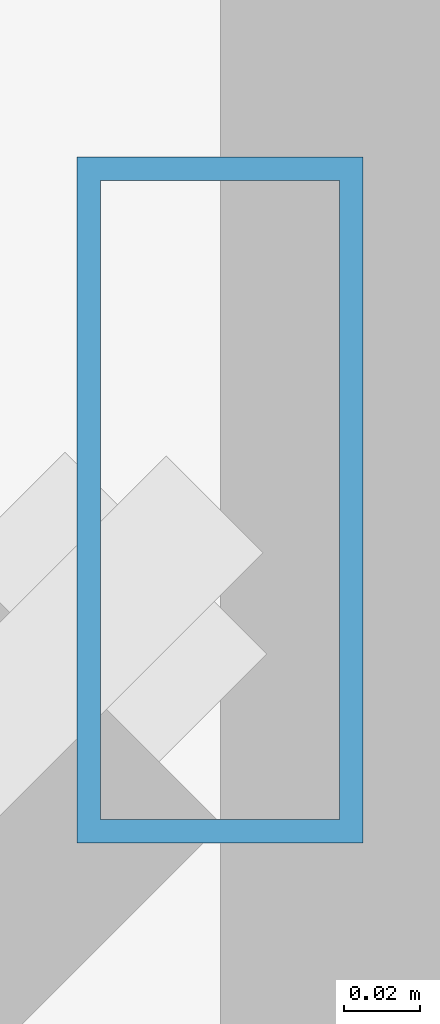
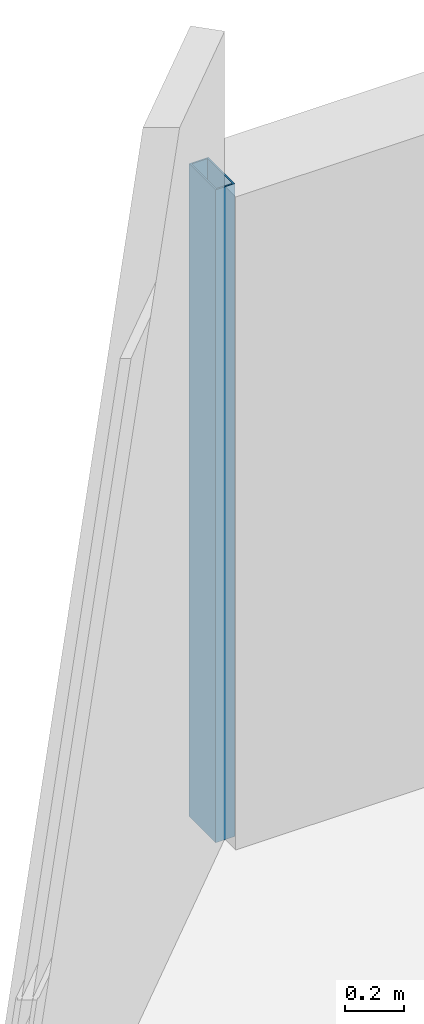
# One storey, part 18 of 35: 1 member, 1 element without a shape of its own.
"""IFC4 building model written with IfcOpenShell, lengths in metres."""

from ifc_helpers import new_model, si_unit, direction, frame, origin, origin_2d, place, context, subcontext, project, spatial, hollow_rectangle, extrude, material, material_profile, profile_set, type_object, element, aggregate, save


model = new_model("IFC4")

# Units and contexts
model_context = context("Model", 3, precision=1e-05, world=origin(), true_north=direction((0.0, 1.0)))
body_context = subcontext(model_context, "Body", "Model", "MODEL_VIEW")
ifc_project = project(units=[si_unit("LENGTHUNIT", "METRE"), si_unit("AREAUNIT", "SQUARE_METRE"), si_unit("VOLUMEUNIT", "CUBIC_METRE"), si_unit("PLANEANGLEUNIT", "RADIAN"), si_unit("MASSUNIT", "GRAM", prefix="KILO")], contexts=[model_context])

# Site, building, storey
site_placement = place(None, origin())
site = spatial("IfcSite", under=ifc_project, at=site_placement, CompositionType="ELEMENT")
building_placement = place(site_placement, origin())
building = spatial("IfcBuilding", under=site, at=building_placement, Name="Thornwick Lancets Civic Towers", CompositionType="ELEMENT")
storey_placement = place(building_placement, frame((0.0, 0.0, 269.10009765625)))
storey = spatial("IfcBuildingStorey", under=building, at=storey_placement, Name="L72", CompositionType="ELEMENT", Elevation=269.10009765625)

# Curtain wall, member
ifc_material_1 = material(Name="High-zone chamfered-corner unitised glass curtain wall", Category="glass")
curtain_wall_type = type_object("IfcCurtainWallType", Name="CW_SYS_05", PredefinedType="NOTDEFINED", material=ifc_material_1)
curtain_wall_placement = place(storey_placement, origin())
curtain_wall = element("IfcCurtainWall", 1, at=curtain_wall_placement, inside=storey, type_object=curtain_wall_type, Name="L72 Curtain Wall CW-L72-B-E5", PredefinedType="NOTDEFINED")
ifc_material_2 = material(Name="Thermally broken bronze aluminium S355", Category="steel")
ifc_material_profile = material_profile(ifc_material_2, hollow_rectangle(XDim=0.074951171875, YDim=0.179931640625, WallThickness=0.006103515625, at=origin_2d()), Name="RHS 180x75x6")
ifc_profile_set = profile_set([ifc_material_profile], Name="Thermally broken bronze aluminium S355")
member_type = type_object("IfcMemberType", Name="CW_MUL_180", PredefinedType="MULLION", material=ifc_profile_set)
member_placement = place(storey_placement, frame((73.87060546875, 50.7626953125, 0.0), z_axis=(0.0, 0.0, 1.0), x_axis=(1.0, 0.0, 0.0)))
member = element("IfcMember", 2, at=member_placement, type_object=member_type, Name="CW-L72-B-E5 Mullion 0", PredefinedType="MULLION", context=body_context, shape_type="SweptSolid", body=[
    extrude(hollow_rectangle(XDim=0.074951171875, YDim=0.179931640625, WallThickness=0.006103515625, at=origin_2d()), origin(), (0.0, 0.0, 1.0), 2.699951171875),
])
aggregate(curtain_wall, [member])

save(model, "model.ifc")
